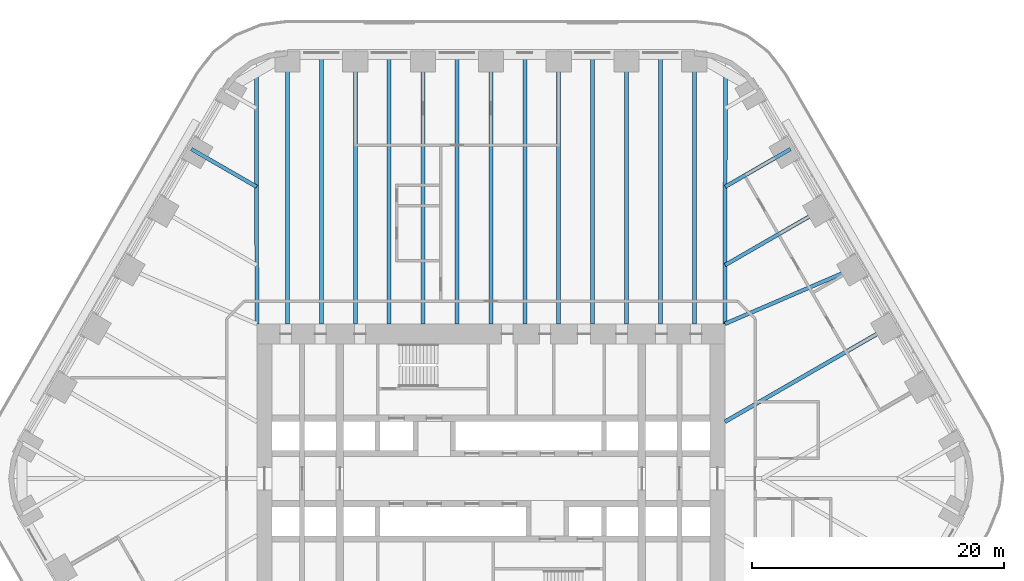
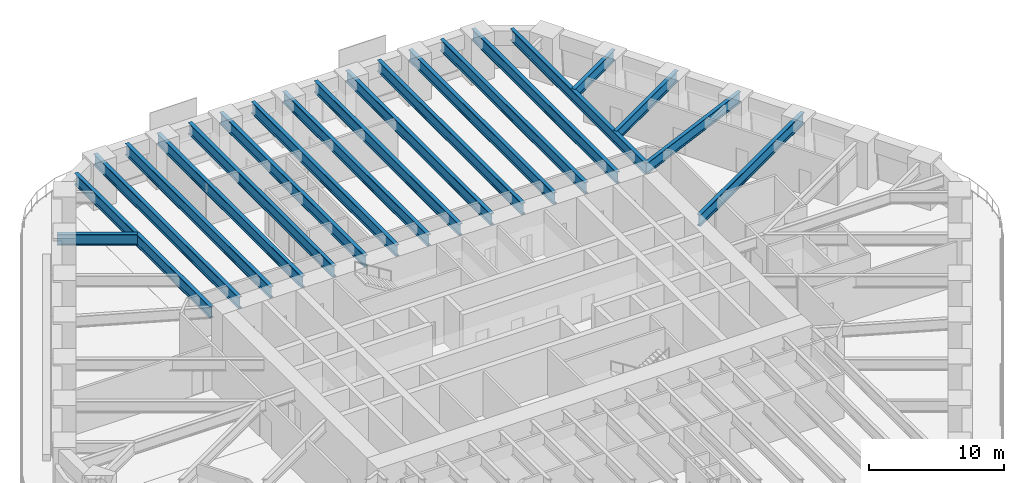
# One storey, part 10 of 24: 20 beams.
"""IFC4 building model written with IfcOpenShell, lengths in metres."""

from ifc_helpers import new_model, si_unit, direction, frame, origin, origin_2d, place, context, subcontext, project, spatial, i_section, extrude, material, material_profile, profile_set, type_object, element, save


model = new_model("IFC4")

# Units and contexts
model_context = context("Model", 3, precision=1e-05, world=origin(), true_north=direction((0.0, 1.0)))
body_context = subcontext(model_context, "Body", "Model", "MODEL_VIEW")
ifc_project = project(units=[si_unit("LENGTHUNIT", "METRE"), si_unit("AREAUNIT", "SQUARE_METRE"), si_unit("VOLUMEUNIT", "CUBIC_METRE"), si_unit("PLANEANGLEUNIT", "RADIAN"), si_unit("MASSUNIT", "GRAM", prefix="KILO")], contexts=[model_context])

# Site, building, storey
site_placement = place(None, origin())
site = spatial("IfcSite", under=ifc_project, at=site_placement, CompositionType="ELEMENT")
building_placement = place(site_placement, origin())
building = spatial("IfcBuilding", under=site, at=building_placement, Name="Tarfa Lantern Tower", CompositionType="ELEMENT")
storey_placement = place(building_placement, frame((0.0, 0.0, 69.699951171875)))
storey = spatial("IfcBuildingStorey", under=building, at=storey_placement, Name="L15", CompositionType="ELEMENT", Elevation=69.699951171875)

# Beams
ifc_material = material(Name="Steel S460M", Category="steel")
ifc_material_profile_1 = material_profile(ifc_material, i_section(OverallWidth=0.302001953125, OverallDepth=1.008056640625, WebThickness=0.02099609375, FlangeThickness=0.0400390625, FilletRadius=0.030029296875, at=origin_2d()), Name="UB1016x305x349")
ifc_profile_set_1 = profile_set([ifc_material_profile_1], Name="Steel S460M")
beam_type_1 = type_object("IfcBeamType", Name="UB1016x305x349", PredefinedType="BEAM", material=ifc_profile_set_1)
beam_1_placement = place(storey_placement, frame((29.202392578125, 16.860107421875, 3.49609375), z_axis=(-0.918635483867, -0.395106122175, 0.0), x_axis=(0.395106122175, -0.918635483867, 0.0)))
element("IfcBeam", 1, at=beam_1_placement, inside=storey, type_object=beam_type_1, Name="Floor beam NE3", PredefinedType="BEAM", context=body_context, shape_type="SweptSolid", body=[
    extrude(i_section(OverallWidth=0.302001953125, OverallDepth=1.008056640625, WebThickness=0.02099609375, FlangeThickness=0.0400390625, FilletRadius=0.030029296875, at=origin_2d()), origin(), (0.0, 0.0, 1.0), 11.541259765625),
])
beam_2_placement = place(storey_placement, frame((26.508056640625, 21.526611328125, 3.49609375), z_axis=(-0.866035355799, -0.49998276221, 0.0), x_axis=(0.49998276221, -0.866035355799, 0.0)))
element("IfcBeam", 2, at=beam_2_placement, inside=storey, type_object=beam_type_1, Name="Floor beam NE4", PredefinedType="BEAM", context=body_context, shape_type="SweptSolid", body=[
    extrude(i_section(OverallWidth=0.302001953125, OverallDepth=1.008056640625, WebThickness=0.02099609375, FlangeThickness=0.0400390625, FilletRadius=0.030029296875, at=origin_2d()), origin(), (0.0, 0.0, 1.0), 9.119873046875),
])
for number, where, z_axis, x_axis, name in (
    (3, (23.813720703125, 26.193359375, 3.49609375), (-0.866015997389, -0.500016292001, 0.0), (0.500016292001, -0.866015997389, 0.0), "Floor beam NE5"),
    (4, (-23.813720703125, 26.193359375, 3.49609375), (0.866015997389, -0.500016292001, 0.0), (0.500016292001, 0.866015997389, 0.0), "Floor beam NW1"),
):
    element("IfcBeam", number, at=place(storey_placement, frame(where, z_axis=z_axis, x_axis=x_axis)), inside=storey, type_object=beam_type_1, Name=name, PredefinedType="BEAM", context=body_context, shape_type="SweptSolid", body=[
        extrude(i_section(OverallWidth=0.302001953125, OverallDepth=1.008056640625, WebThickness=0.02099609375, FlangeThickness=0.0400390625, FilletRadius=0.030029296875, at=origin_2d()), origin(), (0.0, 0.0, 1.0), 5.993408203125),
    ])
ifc_material_profile_2 = material_profile(ifc_material, i_section(OverallWidth=0.314208984375, OverallDepth=1.055908203125, WebThickness=0.035888671875, FlangeThickness=0.06396484375, FilletRadius=0.030029296875, at=origin_2d()), Name="UB1016x305x584")
ifc_profile_set_2 = profile_set([ifc_material_profile_2], Name="Steel S460M")
beam_type_2 = type_object("IfcBeamType", Name="UB1016x305x584", PredefinedType="BEAM", material=ifc_profile_set_2)
for number, where, z_axis, x_axis, name in (
    (5, (18.60009765625, 12.300048828125, 3.47216796875), (0.00212508222, 0.99999774201, 0.0), (-0.99999774201, 0.00212508222, 0.0), "Hip girder NE"),
    (6, (-18.60009765625, 12.300048828125, 3.47216796875), (-0.00212508222, 0.99999774201, 0.0), (-0.99999774201, -0.00212508222, 0.0), "Hip girder NW"),
):
    element("IfcBeam", number, at=place(storey_placement, frame(where, z_axis=z_axis, x_axis=x_axis)), inside=storey, type_object=beam_type_2, Name=name, PredefinedType="BEAM", context=body_context, shape_type="SweptSolid", body=[
        extrude(i_section(OverallWidth=0.314208984375, OverallDepth=1.055908203125, WebThickness=0.035888671875, FlangeThickness=0.06396484375, FilletRadius=0.030029296875, at=origin_2d()), origin(), (0.0, 0.0, 1.0), 19.989990234375),
    ])
beam_3_placement = place(storey_placement, frame((31.896728515625, 12.193359375, 3.47216796875), z_axis=(-0.866026971665, -0.499997284341, 0.0), x_axis=(0.499997284341, -0.866026971665, 0.0)))
element("IfcBeam", 7, at=beam_3_placement, inside=storey, type_object=beam_type_2, Name="Floor beam NE2", PredefinedType="BEAM", context=body_context, shape_type="SweptSolid", body=[
    extrude(i_section(OverallWidth=0.314208984375, OverallDepth=1.055908203125, WebThickness=0.035888671875, FlangeThickness=0.06396484375, FilletRadius=0.030029296875, at=origin_2d()), origin(), (0.0, 0.0, 1.0), 15.353515625),
])
for number, where, z_axis, x_axis, name in (
    (8, (16.165771484375, 33.719970703125, 3.47216796875), (0.0, -1.0, 0.0), (1.0, 0.0, 0.0), "Floor beam N0"),
    (9, (10.777099609375, 33.719970703125, 3.47216796875), (0.0, -1.0, 0.0), (1.0, 0.0, 0.0), "Floor beam N1"),
    (10, (5.388671875, 33.719970703125, 3.47216796875), (0.0, -1.0, 0.0), (1.0, 0.0, 0.0), "Floor beam N2"),
    (11, (0.0, 33.719970703125, 3.47216796875), (0.0, -1.0, 0.0), (1.0, 0.0, 0.0), "Floor beam N3"),
    (12, (-5.388671875, 33.719970703125, 3.47216796875), (0.0, -1.0, 0.0), (1.0, 0.0, 0.0), "Floor beam N4"),
    (13, (-10.777099609375, 33.719970703125, 3.47216796875), (0.0, -1.0, 0.0), (1.0, 0.0, 0.0), "Floor beam N5"),
    (14, (-16.165771484375, 33.719970703125, 3.47216796875), (0.0, -1.0, 0.0), (1.0, 0.0, 0.0), "Floor beam N6"),
    (15, (13.471435546875, 33.719970703125, 3.47216796875), (0.0, -1.0, 0.0), (1.0, 0.0, 0.0), "Floor beam N0M"),
    (16, (8.0830078125, 33.719970703125, 3.47216796875), (0.0, -1.0, 0.0), (1.0, 0.0, 0.0), "Floor beam N1M"),
    (17, (2.6943359375, 33.719970703125, 3.47216796875), (0.0, -1.0, 0.0), (1.0, 0.0, 0.0), "Floor beam N2M"),
    (18, (-2.6943359375, 33.719970703125, 3.47216796875), (0.0, -1.0, 0.0), (1.0, 0.0, 0.0), "Floor beam N3M"),
    (19, (-8.0830078125, 33.719970703125, 3.47216796875), (0.0, -1.0, 0.0), (1.0, 0.0, 0.0), "Floor beam N4M"),
    (20, (-13.471435546875, 33.719970703125, 3.47216796875), (0.0, -1.0, 0.0), (1.0, 0.0, 0.0), "Floor beam N5M"),
):
    element("IfcBeam", number, at=place(storey_placement, frame(where, z_axis=z_axis, x_axis=x_axis)), inside=storey, type_object=beam_type_2, Name=name, PredefinedType="BEAM", context=body_context, shape_type="SweptSolid", body=[
        extrude(i_section(OverallWidth=0.314208984375, OverallDepth=1.055908203125, WebThickness=0.035888671875, FlangeThickness=0.06396484375, FilletRadius=0.030029296875, at=origin_2d()), origin(), (0.0, 0.0, 1.0), 21.419921875),
    ])

save(model, "model.ifc")
